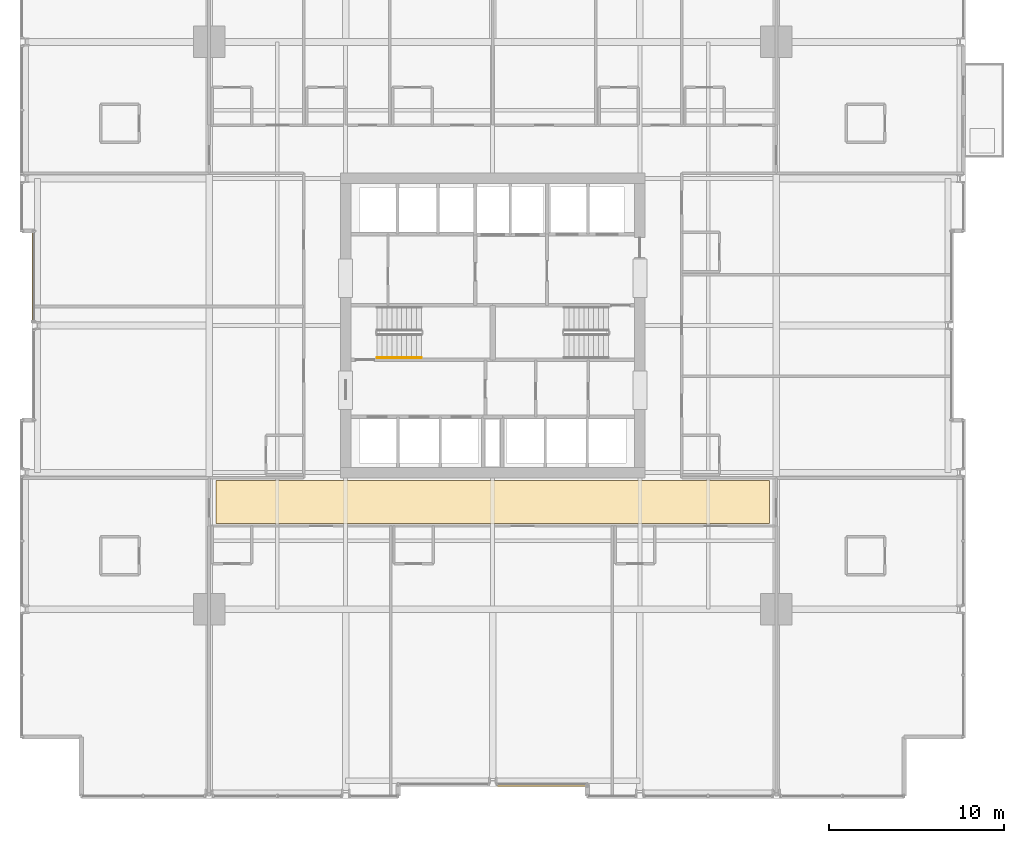
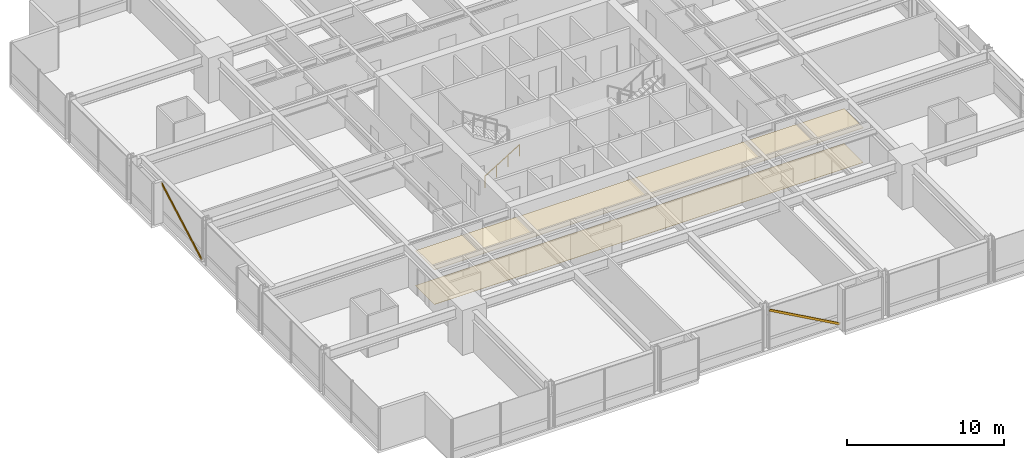
# One storey, part 36 of 38: 2 coverings, 2 shading devices, 1 railing.
"""IFC4 building model written with IfcOpenShell, lengths in metres."""

from ifc_helpers import new_model, si_unit, direction, frame, origin, origin_2d, place, context, subcontext, project, spatial, polyline, hollow_rectangle, circle, outline, extrude, material, layer, layer_set, material_profile, profile_set, type_object, element, save


model = new_model("IFC4")

# Units and contexts
model_context = context("Model", 3, precision=1e-05, world=origin(), true_north=direction((0.0, 1.0)))
body_context = subcontext(model_context, "Body", "Model", "MODEL_VIEW")
ifc_project = project(units=[si_unit("LENGTHUNIT", "METRE"), si_unit("AREAUNIT", "SQUARE_METRE"), si_unit("VOLUMEUNIT", "CUBIC_METRE"), si_unit("PLANEANGLEUNIT", "RADIAN"), si_unit("MASSUNIT", "GRAM", prefix="KILO")], contexts=[model_context])

# Site, building, storey
site_placement = place(None, origin())
site = spatial("IfcSite", under=ifc_project, at=site_placement, CompositionType="ELEMENT")
building_placement = place(site_placement, origin())
building = spatial("IfcBuilding", under=site, at=building_placement, Name="Drelvath Grand Hotel", CompositionType="ELEMENT")
storey_placement = place(building_placement, frame((0.0, 0.0, 71.699951171875)))
storey = spatial("IfcBuildingStorey", under=building, at=storey_placement, Name="L17", CompositionType="ELEMENT", Elevation=71.699951171875)

# Railing
ifc_material_1 = material(Name="Painted Steel S275", Category="steel")
railing_type = type_object("IfcRailingType", Name="Core Stair Wall Handrail 900", PredefinedType="HANDRAIL", material=ifc_material_1)
railing_placement = place(storey_placement, frame((-6.60009765625, 25.169921875, 0.175048828125)))
element("IfcRailing", 1, at=railing_placement, inside=storey, type_object=railing_type, Name="L17 ST-1 stair handrail 1", PredefinedType="HANDRAIL", context=body_context, shape_type="SweptSolid", body=[
    extrude(circle(Radius=0.02392578125, at=origin_2d()), frame((0.0, 0.0, 0.8759765625), z_axis=(0.848007534815, 0.0, 0.529984170421), x_axis=(0.0, 1.0, 0.0)), (0.0, 0.0, 1.0), 2.9716796875),
    extrude(circle(Radius=0.02099609375, at=origin_2d()), origin(), (0.0, 0.0, 1.0), 0.851806640625),
    extrude(circle(Radius=0.02099609375, at=origin_2d()), frame((0.840087890625, 0.0, 0.52490234375)), (0.0, 0.0, 1.0), 0.851806640625),
    extrude(circle(Radius=0.02099609375, at=origin_2d()), frame((1.679931640625, 0.0, 1.050048828125)), (0.0, 0.0, 1.0), 0.851806640625),
    extrude(circle(Radius=0.02099609375, at=origin_2d()), frame((2.52001953125, 0.0, 1.574951171875)), (0.0, 0.0, 1.0), 0.851806640625),
])

# Shading devices
ifc_material_2 = material(Name="Warm Bronze Anodised Aluminium", Category="aluminium")
ifc_material_profile = material_profile(ifc_material_2, hollow_rectangle(XDim=0.06494140625, YDim=0.159912109375, WallThickness=0.00390625, at=origin_2d()), Name="HSS160X65X4")
ifc_profile_set = profile_set([ifc_material_profile], Name="Warm Bronze Anodised Aluminium")
shading_device_type = type_object("IfcShadingDeviceType", Name="Diagonal Solar Fin Warm Bronze Anodised HSS160X65X4", PredefinedType="USERDEFINED", material=ifc_profile_set)
for number, where, z_axis, x_axis, name in (
    (2, (-26.280029296875, 27.22900390625, 0.179931640625), (0.0, 0.873625592273, 0.486598730502), (-1.0, 0.0, 0.0), "L17 Diagonal Anodised Fin CW02-L17-WM2"),
    (3, (5.39990234375, 0.719970703125, 0.179931640625), (-0.873625592273, 0.0, 0.486598730502), (0.0, -1.0, 0.0), "L17 Diagonal Anodised Fin CW02-L17-SM2"),
):
    element("IfcShadingDevice", number, at=place(storey_placement, frame(where, z_axis=z_axis, x_axis=x_axis)), inside=storey, type_object=shading_device_type, Name=name, ObjectType="FIN", PredefinedType="USERDEFINED", context=body_context, shape_type="SweptSolid", body=[
        extrude(hollow_rectangle(XDim=0.06494140625, YDim=0.159912109375, WallThickness=0.00390625, at=origin_2d()), origin(), (0.0, 0.0, 1.0), 5.9189453125),
    ])

# Coverings
ifc_material_3 = material(Name="Woven Wool Broadloom Carpet")
ifc_layer_1 = layer(ifc_material_3, 0.01806640625)
ifc_layer_set_1 = layer_set([ifc_layer_1], Name="Woven Wool Broadloom Carpet")
covering_type_1 = type_object("IfcCoveringType", Name="Hospitality Broadloom Carpet 18", PredefinedType="FLOORING", material=ifc_layer_set_1)
covering_1_placement = place(storey_placement, origin())
element("IfcCovering", 4, at=covering_1_placement, inside=storey, type_object=covering_type_1, Name="L17 Corridor Broadloom Carpet", PredefinedType="FLOORING", context=body_context, shape_type="SweptSolid", body=[
    extrude(outline(polyline([(15.800048828125, 15.699951171875), (15.800048828125, 18.14990234375), (-15.800048828125, 18.14990234375), (-15.800048828125, 15.699951171875), (15.800048828125, 15.699951171875)])), origin(), (0.0, 0.0, 1.0), 0.01806640625),
])
ifc_material_4 = material(Name="Anodised Aluminium Alloy", Category="aluminium")
ifc_layer_2 = layer(ifc_material_4, 0.0400390625)
ifc_layer_set_2 = layer_set([ifc_layer_2], Name="Anodised Aluminium Alloy")
covering_type_2 = type_object("IfcCoveringType", Name="Perforated Metal Corridor Ceiling 40", PredefinedType="CEILING", material=ifc_layer_set_2)
covering_2_placement = place(storey_placement, frame((0.0, 0.0, 2.68994140625)))
element("IfcCovering", 5, at=covering_2_placement, inside=storey, type_object=covering_type_2, Name="L17 Corridor Acoustic Ceiling", PredefinedType="CEILING", context=body_context, shape_type="SweptSolid", body=[
    extrude(outline(polyline([(15.800048828125, 15.699951171875), (15.800048828125, 18.14990234375), (-15.800048828125, 18.14990234375), (-15.800048828125, 15.699951171875), (15.800048828125, 15.699951171875)])), origin(), (0.0, 0.0, 1.0), 0.0400390625),
])

save(model, "model.ifc")
